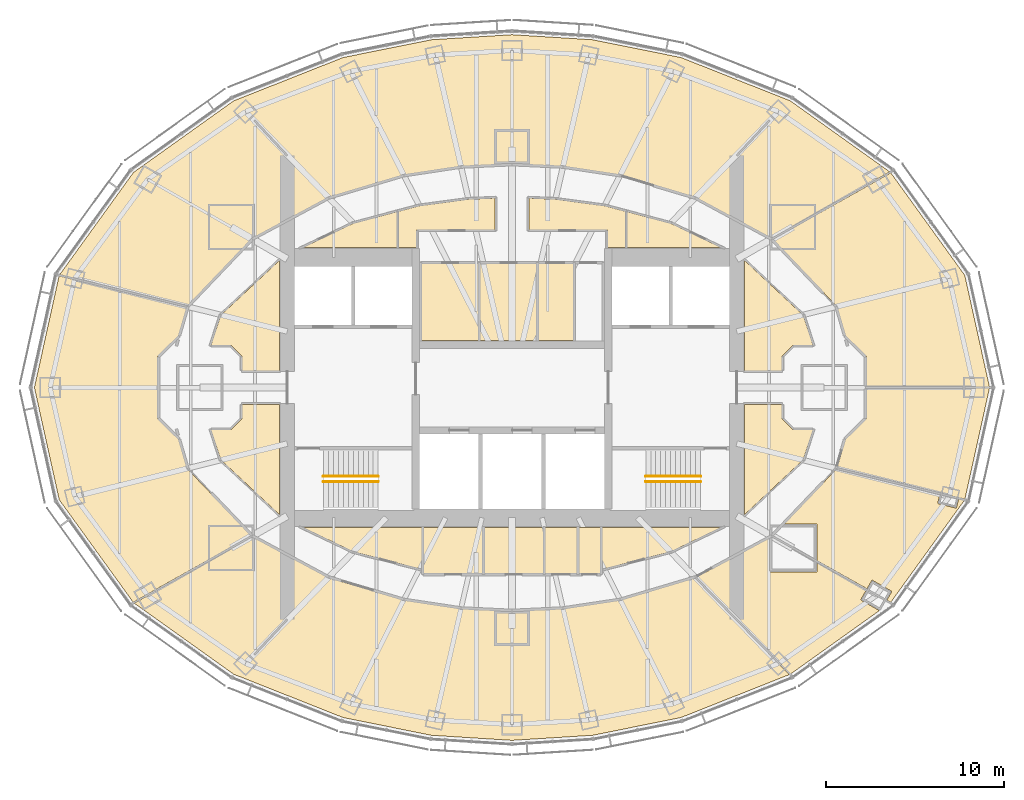
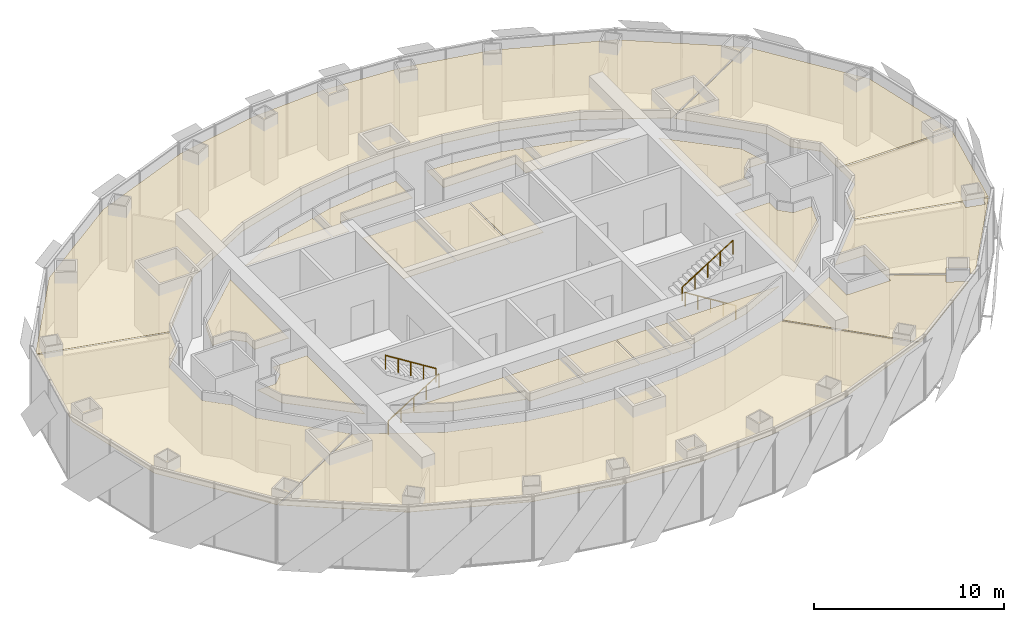
# One storey, part 17 of 17: 24 coverings, 4 railings.
"""IFC4 building model written with IfcOpenShell, lengths in metres."""

from ifc_helpers import new_model, si_unit, direction, frame, origin, origin_2d, place, context, subcontext, project, spatial, polyline, circle, outline, extrude, material, layer, layer_set, type_object, element, save


model = new_model("IFC4")

# Units and contexts
model_context = context("Model", 3, precision=1e-05, world=origin(), true_north=direction((0.0, 1.0)))
body_context = subcontext(model_context, "Body", "Model", "MODEL_VIEW")
ifc_project = project(units=[si_unit("LENGTHUNIT", "METRE"), si_unit("AREAUNIT", "SQUARE_METRE"), si_unit("VOLUMEUNIT", "CUBIC_METRE"), si_unit("PLANEANGLEUNIT", "RADIAN"), si_unit("MASSUNIT", "GRAM", prefix="KILO")], contexts=[model_context])

# Site, building, storey
site_placement = place(None, origin())
site = spatial("IfcSite", under=ifc_project, at=site_placement, CompositionType="ELEMENT")
building_placement = place(site_placement, origin())
building = spatial("IfcBuilding", under=site, at=building_placement, Name="Lantaw Convention Tower", CompositionType="ELEMENT")
storey_placement = place(building_placement, frame((0.0, 0.0, 211.60009765625)))
storey = spatial("IfcBuildingStorey", under=building, at=storey_placement, Name="L49", CompositionType="ELEMENT", Elevation=211.60009765625)

# Railings
ifc_material_1 = material(Name="Stainless steel", Category="steel")
railing_type = type_object("IfcRailingType", Name="Stair handrail", PredefinedType="HANDRAIL", material=ifc_material_1)
railing_1_placement = place(storey_placement, frame((-10.580078125, -5.280029296875, 0.1748046875)))
element("IfcRailing", 1, at=railing_1_placement, inside=storey, type_object=railing_type, Name="Stair handrail S1", PredefinedType="HANDRAIL", context=body_context, shape_type="SweptSolid", body=[
    extrude(circle(Radius=0.02392578125, at=origin_2d()), frame((0.0, 0.0, 0.8759765625), z_axis=(0.847998304005, 0.0, 0.529998940003), x_axis=(0.0, 1.0, 0.0)), (0.0, 0.0, 1.0), 3.632080078125),
    extrude(circle(Radius=0.02099609375, at=origin_2d()), origin(), (0.0, 0.0, 1.0), 0.851806640625),
    extrude(circle(Radius=0.02099609375, at=origin_2d()), frame((0.77001953125, 0.0, 0.481201171875)), (0.0, 0.0, 1.0), 0.851806640625),
    extrude(circle(Radius=0.02099609375, at=origin_2d()), frame((1.5400390625, 0.0, 0.96240234375)), (0.0, 0.0, 1.0), 0.851806640625),
    extrude(circle(Radius=0.02099609375, at=origin_2d()), frame((2.31005859375, 0.0, 1.44384765625)), (0.0, 0.0, 1.0), 0.851806640625),
    extrude(circle(Radius=0.02099609375, at=origin_2d()), frame((3.080078125, 0.0, 1.925048828125)), (0.0, 0.0, 1.0), 0.851806640625),
])
for number, where, name in (
    (2, (-7.5, -4.97998046875, 2.27490234375), "Stair handrail S1"),
    (3, (10.580078125, -5.280029296875, 0.1748046875), "Stair handrail S2"),
):
    element("IfcRailing", number, at=place(storey_placement, frame(where)), inside=storey, type_object=railing_type, Name=name, PredefinedType="HANDRAIL", context=body_context, shape_type="SweptSolid", body=[
        extrude(circle(Radius=0.02392578125, at=origin_2d()), frame((0.0, 0.0, 0.8759765625), z_axis=(-0.847998304005, 0.0, 0.529998940003), x_axis=(0.0, -1.0, 0.0)), (0.0, 0.0, 1.0), 3.632080078125),
        extrude(circle(Radius=0.02099609375, at=origin_2d()), origin(), (0.0, 0.0, 1.0), 0.851806640625),
        extrude(circle(Radius=0.02099609375, at=origin_2d()), frame((-0.77001953125, 0.0, 0.481201171875)), (0.0, 0.0, 1.0), 0.851806640625),
        extrude(circle(Radius=0.02099609375, at=origin_2d()), frame((-1.5400390625, 0.0, 0.96240234375)), (0.0, 0.0, 1.0), 0.851806640625),
        extrude(circle(Radius=0.02099609375, at=origin_2d()), frame((-2.31005859375, 0.0, 1.44384765625)), (0.0, 0.0, 1.0), 0.851806640625),
        extrude(circle(Radius=0.02099609375, at=origin_2d()), frame((-3.080078125, 0.0, 1.925048828125)), (0.0, 0.0, 1.0), 0.851806640625),
    ])
railing_2_placement = place(storey_placement, frame((7.5, -4.97998046875, 2.27490234375)))
element("IfcRailing", 4, at=railing_2_placement, inside=storey, type_object=railing_type, Name="Stair handrail S2", PredefinedType="HANDRAIL", context=body_context, shape_type="SweptSolid", body=[
    extrude(circle(Radius=0.02392578125, at=origin_2d()), frame((0.0, 0.0, 0.8759765625), z_axis=(0.847998304005, 0.0, 0.529998940003), x_axis=(0.0, 1.0, 0.0)), (0.0, 0.0, 1.0), 3.632080078125),
    extrude(circle(Radius=0.02099609375, at=origin_2d()), origin(), (0.0, 0.0, 1.0), 0.851806640625),
    extrude(circle(Radius=0.02099609375, at=origin_2d()), frame((0.77001953125, 0.0, 0.481201171875)), (0.0, 0.0, 1.0), 0.851806640625),
    extrude(circle(Radius=0.02099609375, at=origin_2d()), frame((1.5400390625, 0.0, 0.96240234375)), (0.0, 0.0, 1.0), 0.851806640625),
    extrude(circle(Radius=0.02099609375, at=origin_2d()), frame((2.31005859375, 0.0, 1.44384765625)), (0.0, 0.0, 1.0), 0.851806640625),
    extrude(circle(Radius=0.02099609375, at=origin_2d()), frame((3.080078125, 0.0, 1.925048828125)), (0.0, 0.0, 1.0), 0.851806640625),
])

# Coverings
ifc_material_2 = material(Name="Gypsum board on steel suspension grid", Category="steel")
ifc_layer = layer(ifc_material_2, 0.02001953125)
ifc_layer_set = layer_set([ifc_layer], Name="Suspended ceiling")
covering_type = type_object("IfcCoveringType", Name="Suspended ceiling", PredefinedType="CEILING", material=ifc_layer_set)
covering_1_placement = place(storey_placement, frame((0.0, 0.0, 3.449951171875)))
element("IfcCovering", 5, at=covering_1_placement, inside=storey, type_object=covering_type, Name="Female WC ceiling", PredefinedType="CEILING", context=body_context, shape_type="SweptSolid", body=[
    extrude(outline(polyline([(-5.080078125, 2.639892578125), (-1.88330078125, 2.639892578125), (-1.88330078125, 6.9599609375), (-5.080078125, 6.9599609375), (-5.080078125, 2.639892578125)])), origin(), (0.0, 0.0, 1.0), 0.02001953125),
])
covering_2_placement = place(storey_placement, frame((0.0, 0.0, 3.449951171875)))
element("IfcCovering", 6, at=covering_2_placement, inside=storey, type_object=covering_type, Name="Male WC ceiling", PredefinedType="CEILING", context=body_context, shape_type="SweptSolid", body=[
    extrude(outline(polyline([(-1.80322265625, 2.639892578125), (1.3935546875, 2.639892578125), (1.3935546875, 6.9599609375), (-1.80322265625, 6.9599609375), (-1.80322265625, 2.639892578125)])), origin(), (0.0, 0.0, 1.0), 0.02001953125),
])
covering_3_placement = place(storey_placement, frame((0.0, 0.0, 3.449951171875)))
element("IfcCovering", 7, at=covering_3_placement, inside=storey, type_object=covering_type, Name="Accessible WC ceiling", PredefinedType="CEILING", context=body_context, shape_type="SweptSolid", body=[
    extrude(outline(polyline([(1.4736328125, 2.639892578125), (3.441650390625, 2.639892578125), (3.441650390625, 6.9599609375), (1.4736328125, 6.9599609375), (1.4736328125, 2.639892578125)])), origin(), (0.0, 0.0, 1.0), 0.02001953125),
])
covering_4_placement = place(storey_placement, frame((0.0, 0.0, 3.449951171875)))
element("IfcCovering", 8, at=covering_4_placement, inside=storey, type_object=covering_type, Name="Female WC ceiling", PredefinedType="CEILING", context=body_context, shape_type="SweptSolid", body=[
    extrude(outline(polyline([(-4.9599609375, -10.44189453125), (-1.639892578125, -10.44189453125), (-1.639892578125, -7.840087890625), (-4.9599609375, -7.840087890625), (-4.9599609375, -10.44189453125)])), origin(), (0.0, 0.0, 1.0), 0.02001953125),
])
covering_5_placement = place(storey_placement, frame((0.0, 0.0, 3.449951171875)))
element("IfcCovering", 9, at=covering_5_placement, inside=storey, type_object=covering_type, Name="Male WC ceiling", PredefinedType="CEILING", context=body_context, shape_type="SweptSolid", body=[
    extrude(outline(polyline([(-1.56005859375, -10.44189453125), (1.760009765625, -10.44189453125), (1.760009765625, -7.840087890625), (-1.56005859375, -7.840087890625), (-1.56005859375, -10.44189453125)])), origin(), (0.0, 0.0, 1.0), 0.02001953125),
])
covering_6_placement = place(storey_placement, frame((0.0, 0.0, 3.449951171875)))
element("IfcCovering", 10, at=covering_6_placement, inside=storey, type_object=covering_type, Name="Accessible WC ceiling", PredefinedType="CEILING", context=body_context, shape_type="SweptSolid", body=[
    extrude(outline(polyline([(1.840087890625, -10.44189453125), (3.659912109375, -10.44189453125), (3.659912109375, -7.840087890625), (1.840087890625, -7.840087890625), (1.840087890625, -10.44189453125)])), origin(), (0.0, 0.0, 1.0), 0.02001953125),
])
covering_7_placement = place(storey_placement, frame((0.0, 0.0, 3.449951171875)))
element("IfcCovering", 11, at=covering_7_placement, inside=storey, type_object=covering_type, Name="Pantry ceiling", PredefinedType="CEILING", context=body_context, shape_type="SweptSolid", body=[
    extrude(outline(polyline([(3.739990234375, -10.44189453125), (4.9599609375, -10.44189453125), (4.9599609375, -7.840087890625), (3.739990234375, -7.840087890625), (3.739990234375, -10.44189453125)])), origin(), (0.0, 0.0, 1.0), 0.02001953125),
])
covering_8_placement = place(storey_placement, frame((0.0, 0.0, 3.449951171875)))
element("IfcCovering", 12, at=covering_8_placement, inside=storey, type_object=covering_type, Name="Meeting room ceiling", PredefinedType="CEILING", context=body_context, shape_type="SweptSolid", body=[
    extrude(outline(polyline([(-16.328125, -4.0576171875), (-13.0400390625, -7.1298828125), (-13.0400390625, -0.93994140625), (-15.135009765625, -0.93994140625), (-15.135009765625, -1.7412109375), (-15.7587890625, -2.364990234375), (-16.8828125, -2.364990234375), (-16.328125, -4.0576171875)])), origin(), (0.0, 0.0, 1.0), 0.02001953125),
])
covering_9_placement = place(storey_placement, frame((0.0, 0.0, 3.449951171875)))
element("IfcCovering", 13, at=covering_9_placement, inside=storey, type_object=covering_type, Name="Project room ceiling", PredefinedType="CEILING", context=body_context, shape_type="SweptSolid", body=[
    extrude(outline(polyline([(-5.0400390625, -7.840087890625), (-11.749755859375, -7.840087890625), (-8.909912109375, -9.202880859375), (-5.0400390625, -10.20263671875), (-5.0400390625, -7.840087890625)])), origin(), (0.0, 0.0, 1.0), 0.02001953125),
])
covering_10_placement = place(storey_placement, frame((0.0, 0.0, 3.449951171875)))
element("IfcCovering", 14, at=covering_10_placement, inside=storey, type_object=covering_type, Name="Tenant storage room ceiling", PredefinedType="CEILING", context=body_context, shape_type="SweptSolid", body=[
    extrude(outline(polyline([(5.0400390625, -7.840087890625), (5.0400390625, -10.20263671875), (8.909912109375, -9.202880859375), (11.749755859375, -7.840087890625), (5.0400390625, -7.840087890625)])), origin(), (0.0, 0.0, 1.0), 0.02001953125),
])
covering_11_placement = place(storey_placement, frame((0.0, 0.0, 3.449951171875)))
element("IfcCovering", 15, at=covering_11_placement, inside=storey, type_object=covering_type, Name="Meeting room ceiling", PredefinedType="CEILING", context=body_context, shape_type="SweptSolid", body=[
    extrude(outline(polyline([(15.135009765625, -0.93994140625), (13.0400390625, -0.93994140625), (13.0400390625, -7.1298828125), (16.328125, -4.0576171875), (16.8828125, -2.364990234375), (15.7587890625, -2.364990234375), (15.135009765625, -1.7412109375), (15.135009765625, -0.93994140625)])), origin(), (0.0, 0.0, 1.0), 0.02001953125),
])
covering_12_placement = place(storey_placement, frame((0.0, 0.0, 3.449951171875)))
element("IfcCovering", 16, at=covering_12_placement, inside=storey, type_object=covering_type, Name="Copy and print room ceiling", PredefinedType="CEILING", context=body_context, shape_type="SweptSolid", body=[
    extrude(outline(polyline([(16.328125, 4.0576171875), (13.0400390625, 7.1298828125), (13.0400390625, 0.93994140625), (15.135009765625, 0.93994140625), (15.135009765625, 1.7412109375), (15.7587890625, 2.364990234375), (16.8828125, 2.364990234375), (16.328125, 4.0576171875)])), origin(), (0.0, 0.0, 1.0), 0.02001953125),
])
covering_13_placement = place(storey_placement, frame((0.0, 0.0, 3.449951171875)))
element("IfcCovering", 17, at=covering_13_placement, inside=storey, type_object=covering_type, Name="Project room ceiling", PredefinedType="CEILING", context=body_context, shape_type="SweptSolid", body=[
    extrude(outline(polyline([(5.360107421875, 8.840087890625), (5.360107421875, 7.840087890625), (6.3701171875, 7.840087890625), (6.3701171875, 9.876708984375), (5.20263671875, 10.1865234375), (2.443115234375, 10.557373046875), (0.93994140625, 10.62060546875), (0.93994140625, 8.840087890625), (5.360107421875, 8.840087890625)])), origin(), (0.0, 0.0, 1.0), 0.02001953125),
])
covering_14_placement = place(storey_placement, frame((0.0, 0.0, 3.449951171875)))
element("IfcCovering", 18, at=covering_14_placement, inside=storey, type_object=covering_type, Name="Meeting room ceiling", PredefinedType="CEILING", context=body_context, shape_type="SweptSolid", body=[
    extrude(outline(polyline([(8.90966796875, 9.202880859375), (6.449951171875, 9.855712890625), (6.449951171875, 7.840087890625), (11.749755859375, 7.840087890625), (8.90966796875, 9.202880859375)])), origin(), (0.0, 0.0, 1.0), 0.02001953125),
])
covering_15_placement = place(storey_placement, frame((0.0, 0.0, 3.449951171875)))
element("IfcCovering", 19, at=covering_15_placement, inside=storey, type_object=covering_type, Name="Comms room ceiling", PredefinedType="CEILING", context=body_context, shape_type="SweptSolid", body=[
    extrude(outline(polyline([(-8.90966796875, 9.202880859375), (-11.749755859375, 7.840087890625), (-6.449951171875, 7.840087890625), (-6.449951171875, 9.855712890625), (-8.90966796875, 9.202880859375)])), origin(), (0.0, 0.0, 1.0), 0.02001953125),
])
covering_16_placement = place(storey_placement, frame((0.0, 0.0, 3.449951171875)))
element("IfcCovering", 20, at=covering_16_placement, inside=storey, type_object=covering_type, Name="Meeting room ceiling", PredefinedType="CEILING", context=body_context, shape_type="SweptSolid", body=[
    extrude(outline(polyline([(-5.20263671875, 10.1865234375), (-6.3701171875, 9.876708984375), (-6.3701171875, 7.840087890625), (-5.360107421875, 7.840087890625), (-5.360107421875, 8.840087890625), (-0.93994140625, 8.840087890625), (-0.93994140625, 10.62060546875), (-2.443115234375, 10.557373046875), (-5.20263671875, 10.1865234375)])), origin(), (0.0, 0.0, 1.0), 0.02001953125),
])
covering_17_placement = place(storey_placement, frame((0.0, 0.0, 3.449951171875)))
element("IfcCovering", 21, at=covering_17_placement, inside=storey, type_object=covering_type, Name="Project room ceiling", PredefinedType="CEILING", context=body_context, shape_type="SweptSolid", body=[
    extrude(outline(polyline([(-15.135009765625, 0.93994140625), (-13.0400390625, 0.93994140625), (-13.0400390625, 7.1298828125), (-16.328125, 4.0576171875), (-16.8828125, 2.364990234375), (-15.7587890625, 2.364990234375), (-15.135009765625, 1.7412109375), (-15.135009765625, 0.93994140625)])), origin(), (0.0, 0.0, 1.0), 0.02001953125),
])
covering_18_placement = place(storey_placement, frame((0.0, 0.0, 3.449951171875)))
element("IfcCovering", 22, at=covering_18_placement, inside=storey, type_object=covering_type, Name="Reception ceiling", PredefinedType="CEILING", context=body_context, shape_type="SweptSolid", body=[
    extrude(outline(polyline([(14.62060546875, 8.30810546875), (18.20947265625, 4.5517578125), (18.692138671875, 2.90283203125), (19.22900390625, 2.364990234375), (19.2412109375, 2.364990234375), (19.864990234375, 1.7412109375), (19.864990234375, 0.0400390625), (26.77099609375, 0.0400390625), (25.388916015625, 6.290283203125), (21.241455078125, 12.0380859375), (14.62060546875, 8.30810546875)])), origin(), (0.0, 0.0, 1.0), 0.02001953125),
])
covering_19_placement = place(storey_placement, frame((0.0, 0.0, 3.449951171875)))
element("IfcCovering", 23, at=covering_19_placement, inside=storey, type_object=covering_type, Name="Open office ceiling", PredefinedType="CEILING", context=body_context, shape_type="SweptSolid", body=[
    extrude(outline(polyline([(14.5556640625, 8.363525390625), (21.1787109375, 12.094482421875), (15.60498046875, 16.076416015625), (9.472900390625, 18.504638671875), (4.523193359375, 19.500244140625), (0.0, 19.78466796875), (-4.523193359375, 19.500244140625), (-9.472900390625, 18.504638671875), (-15.60498046875, 16.076416015625), (-21.224365234375, 12.061767578125), (-25.359130859375, 6.331787109375), (-18.186767578125, 4.57568359375), (-14.58056640625, 8.35009765625), (-10.279052734375, 10.66552734375), (-6.06298828125, 11.92138671875), (-2.858642578125, 12.4052734375), (0.0, 12.5400390625), (2.858642578125, 12.4052734375), (6.06298828125, 11.92138671875), (10.279052734375, 10.66552734375), (14.5556640625, 8.363525390625)])), origin(), (0.0, 0.0, 1.0), 0.02001953125),
])
covering_20_placement = place(storey_placement, frame((0.0, 0.0, 3.449951171875)))
element("IfcCovering", 24, at=covering_20_placement, inside=storey, type_object=covering_type, Name="Boardroom ceiling", PredefinedType="CEILING", context=body_context, shape_type="SweptSolid", body=[
    extrude(outline(polyline([(-19.2412109375, 2.364990234375), (-19.22900390625, 2.364990234375), (-18.692138671875, 2.90283203125), (-18.223876953125, 4.502197265625), (-25.39599609375, 6.258544921875), (-26.77978515625, 0.0), (-25.388916015625, -6.290283203125), (-21.241455078125, -12.0380859375), (-14.62060546875, -8.30810546875), (-18.20947265625, -4.5517578125), (-18.692138671875, -2.90283203125), (-19.22900390625, -2.364990234375), (-19.2412109375, -2.364990234375), (-19.864990234375, -1.7412109375), (-19.864990234375, 1.7412109375), (-19.2412109375, 2.364990234375)])), origin(), (0.0, 0.0, 1.0), 0.02001953125),
])
covering_21_placement = place(storey_placement, frame((0.0, 0.0, 3.449951171875)))
element("IfcCovering", 25, at=covering_21_placement, inside=storey, type_object=covering_type, Name="Open office ceiling", PredefinedType="CEILING", context=body_context, shape_type="SweptSolid", body=[
    extrude(outline(polyline([(-14.5556640625, -8.363525390625), (-21.1787109375, -12.094482421875), (-15.60498046875, -16.076416015625), (-9.472900390625, -18.504638671875), (-4.523193359375, -19.500244140625), (0.0, -19.78466796875), (4.523193359375, -19.500244140625), (9.472900390625, -18.504638671875), (15.553466796875, -16.0966796875), (10.251953125, -10.673583984375), (6.06298828125, -11.92138671875), (2.858642578125, -12.4052734375), (0.0, -12.5400390625), (-2.858642578125, -12.4052734375), (-6.06298828125, -11.92138671875), (-10.279052734375, -10.66552734375), (-14.5556640625, -8.363525390625)])), origin(), (0.0, 0.0, 1.0), 0.02001953125),
])
covering_22_placement = place(storey_placement, frame((0.0, 0.0, 3.449951171875)))
element("IfcCovering", 26, at=covering_22_placement, inside=storey, type_object=covering_type, Name="Pantry ceiling", PredefinedType="CEILING", context=body_context, shape_type="SweptSolid", body=[
    extrude(outline(polyline([(14.409912109375, -8.44189453125), (10.329345703125, -10.638427734375), (15.62890625, -16.059326171875), (20.599365234375, -12.50830078125), (19.5498046875, -11.908447265625), (19.8662109375, -11.35498046875), (17.090087890625, -9.791015625), (17.090087890625, -10.340087890625), (14.409912109375, -10.340087890625), (14.409912109375, -8.44189453125)])), origin(), (0.0, 0.0, 1.0), 0.02001953125),
])
covering_23_placement = place(storey_placement, frame((0.0, 0.0, 3.449951171875)))
element("IfcCovering", 27, at=covering_23_placement, inside=storey, type_object=covering_type, Name="Meeting room ceiling", PredefinedType="CEILING", context=body_context, shape_type="SweptSolid", body=[
    extrude(outline(polyline([(18.186767578125, -4.57568359375), (15.23974609375, -7.659912109375), (17.090087890625, -7.659912109375), (17.090087890625, -9.69921875), (19.90576171875, -11.28564453125), (20.184814453125, -10.797119140625), (21.296142578125, -11.43212890625), (21.02099609375, -11.913818359375), (21.241455078125, -12.0380859375), (25.359130859375, -6.331787109375), (25.04345703125, -6.25439453125), (24.915283203125, -6.7685546875), (23.867431640625, -6.50732421875), (23.994384765625, -5.99755859375), (18.186767578125, -4.57568359375)])), origin(), (0.0, 0.0, 1.0), 0.02001953125),
])
covering_24_placement = place(storey_placement, frame((0.0, 0.0, 3.449951171875)))
element("IfcCovering", 28, at=covering_24_placement, inside=storey, type_object=covering_type, Name="Meeting room ceiling", PredefinedType="CEILING", context=body_context, shape_type="SweptSolid", body=[
    extrude(outline(polyline([(19.22900390625, -2.364990234375), (18.692138671875, -2.90283203125), (18.223876953125, -4.502197265625), (25.39599609375, -6.258544921875), (26.77099609375, -0.0400390625), (19.864990234375, -0.0400390625), (19.864990234375, -1.7412109375), (19.2412109375, -2.364990234375), (19.22900390625, -2.364990234375)])), origin(), (0.0, 0.0, 1.0), 0.02001953125),
])

save(model, "model.ifc")
